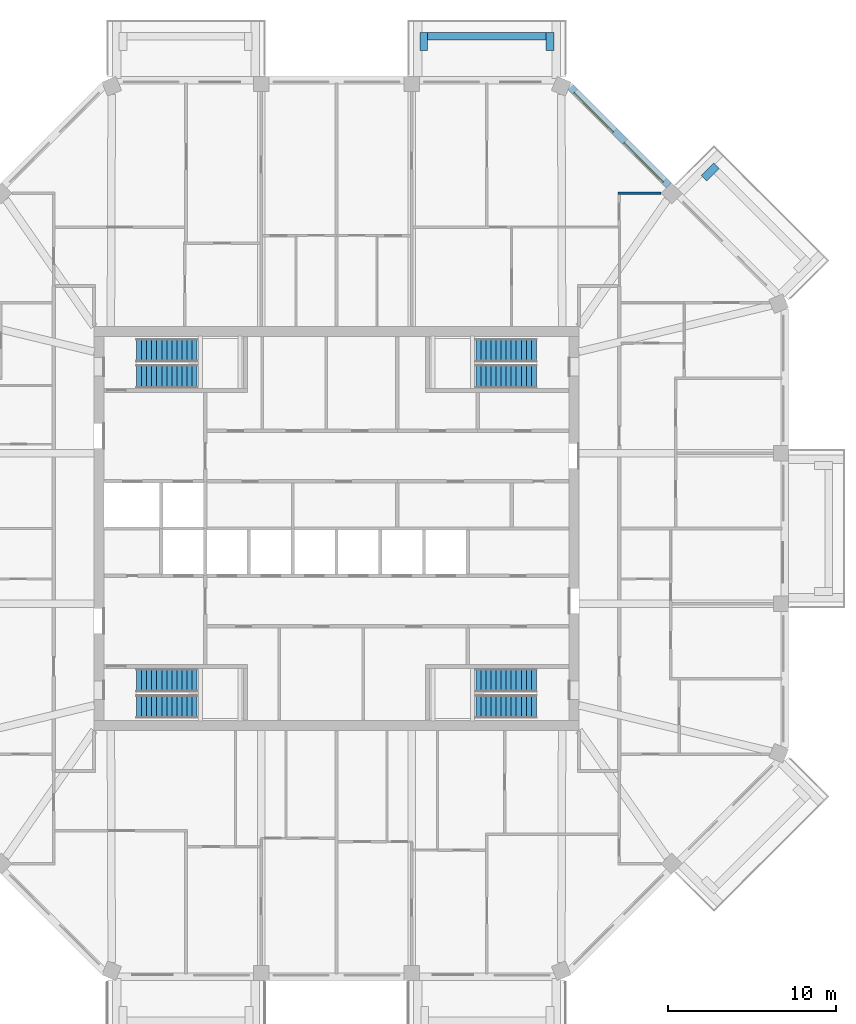
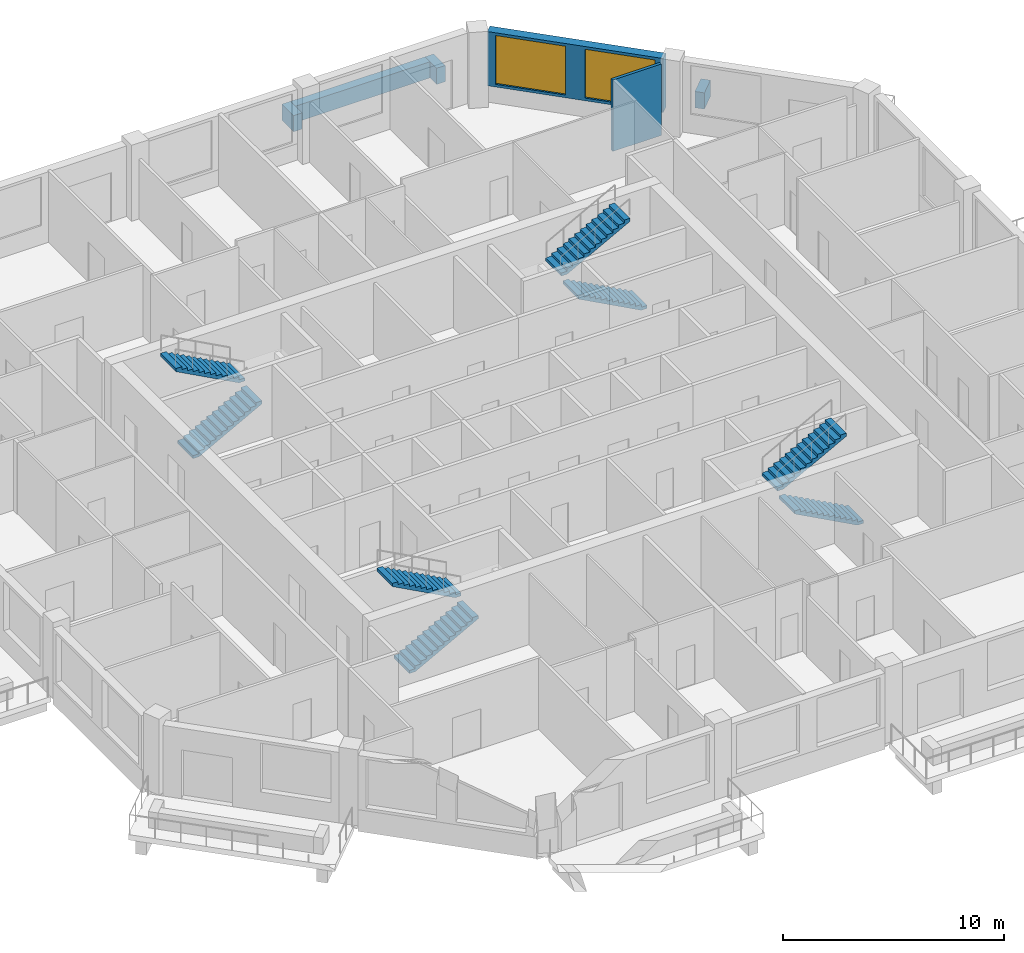
# One storey, part 10 of 12: 8 stair flights, 6 walls, 2 windows, 2 openings, 4 elements without a shape of their own.
"""IFC4 building model written with IfcOpenShell, lengths in metres."""

from ifc_helpers import new_model, si_unit, direction, frame, frame_2d, origin, place, context, subcontext, project, spatial, polyline, rectangle, outline, extrude, material, layer, layer_set, type_object, element, fill, aggregate, save


model = new_model("IFC4")

# Units and contexts
model_context = context("Model", 3, precision=1e-05, world=origin(), true_north=direction((0.0, 1.0)))
body_context = subcontext(model_context, "Body", "Model", "MODEL_VIEW")
ifc_project = project(units=[si_unit("LENGTHUNIT", "METRE"), si_unit("AREAUNIT", "SQUARE_METRE"), si_unit("VOLUMEUNIT", "CUBIC_METRE"), si_unit("PLANEANGLEUNIT", "RADIAN"), si_unit("MASSUNIT", "GRAM", prefix="KILO")], contexts=[model_context])

# Site, building, storey
site_placement = place(None, origin())
site = spatial("IfcSite", under=ifc_project, at=site_placement, CompositionType="ELEMENT")
building_placement = place(site_placement, origin())
building = spatial("IfcBuilding", under=site, at=building_placement, Name="Msitu Wima Residences", CompositionType="ELEMENT")
storey_placement = place(building_placement, frame((0.0, 0.0, 255.89990234375)))
storey = spatial("IfcBuildingStorey", under=building, at=storey_placement, Name="L59", CompositionType="ELEMENT", Elevation=255.89990234375)

# Walls
ifc_material_1 = material(Name="Facing brick")
ifc_layer_1 = layer(ifc_material_1, 0.06494140625, Name="Facing brick")
ifc_material_2 = material(Name="Concrete C40/50", Category="concrete")
ifc_layer_2 = layer(ifc_material_2, 0.156005859375, Name="Concrete C40/50")
ifc_material_3 = material(Name="Waterproofing membrane")
ifc_layer_3 = layer(ifc_material_3, 0.00390625, Name="Waterproofing membrane")
ifc_material_4 = material(Name="Planting soil and planting")
ifc_layer_4 = layer(ifc_material_4, 0.22509765625, Name="Planting soil and planting")
ifc_layer_set_1 = layer_set([ifc_layer_1, ifc_layer_2, ifc_layer_3, ifc_layer_4], Name="Concrete C40/50")
wall_type_1 = type_object("IfcWallType", Name="Balcony planter PLANTER PL450", PredefinedType="USERDEFINED", material=ifc_layer_set_1)
wall_1_placement = place(storey_placement, frame((21.829833984375, 20.804443359375, 0.0), z_axis=(0.0, 0.0, 1.0), x_axis=(0.707106781187, 0.707106781187, 0.0)))
element("IfcWall", 1, at=wall_1_placement, inside=storey, type_object=wall_type_1, Name="Balcony planter NE0 L59", ObjectType="PLANTER", PredefinedType="USERDEFINED", context=body_context, shape_type="SweptSolid", body=[
    extrude(rectangle(XDim=1.050048828125, YDim=0.449951171875, at=frame_2d((0.52490234375, 0.0))), origin(), (0.0, 0.0, 1.0), 0.900146484375),
])
wall_2_placement = place(storey_placement, frame((12.455810546875, 29.22509765625, 0.0), z_axis=(0.0, 0.0, 1.0), x_axis=(-1.0, 0.0, 0.0)))
element("IfcWall", 2, at=wall_2_placement, inside=storey, type_object=wall_type_1, Name="Balcony planter N0 L59", ObjectType="PLANTER", PredefinedType="USERDEFINED", context=body_context, shape_type="SweptSolid", body=[
    extrude(rectangle(XDim=7.037109375, YDim=0.449951171875, at=frame_2d((3.5185546875, 0.0))), origin(), (0.0, 0.0, 1.0), 0.900146484375),
])
for number, where, z_axis, x_axis, name in (
    (3, (12.680908203125, 28.39990234375, 0.0), (0.0, 0.0, 1.0), (0.0, 1.0, 0.0), "Balcony planter N0 L59"),
    (4, (5.193603515625, 28.39990234375, 0.0), (0.0, 0.0, 1.0), (0.0, 1.0, 0.0), "Balcony planter N0 L59"),
):
    element("IfcWall", number, at=place(storey_placement, frame(where, z_axis=z_axis, x_axis=x_axis)), inside=storey, type_object=wall_type_1, Name=name, ObjectType="PLANTER", PredefinedType="USERDEFINED", context=body_context, shape_type="SweptSolid", body=[
        extrude(rectangle(XDim=1.050048828125, YDim=0.449951171875, at=frame_2d((0.52490234375, 0.0))), origin(), (0.0, 0.0, 1.0), 0.900146484375),
    ])

# Wall, openings, windows
ifc_material_5 = material(Name="Brick (red buff mix)", Category="masonry")
ifc_layer_5 = layer(ifc_material_5, 0.449951171875)
ifc_layer_set_2 = layer_set([ifc_layer_5], Name="Brick (red buff mix)")
wall_type_2 = type_object("IfcWallType", Name="Brick infill wall BW450", PredefinedType="SOLIDWALL", material=ifc_layer_set_2)
wall_3_placement = place(storey_placement, frame((19.743896484375, 20.380126953125, 0.900146484375), z_axis=(0.0, 0.0, 1.0), x_axis=(-0.707106781187, 0.707106781187, 0.0)))
wall_3 = element("IfcWall", 5, at=wall_3_placement, inside=storey, type_object=wall_type_2, Name="Brick infill wall L59 NE1", PredefinedType="SOLIDWALL", context=body_context, shape_type="SweptSolid", body=[
    extrude(rectangle(XDim=8.251220703125, YDim=0.449951171875, at=frame_2d((4.12548828125, 0.0))), origin(), (0.0, 0.0, 1.0), 3.0),
])
opening_1_placement = place(wall_3_placement, frame((0.37548828125, 0.0, 0.14990234375)))
opening_1 = element("IfcOpeningElement", 6, at=opening_1_placement, cuts=wall_3, Name="Opening W57-59.011", PredefinedType="OPENING", context=body_context, shape_type="SweptSolid", body=[
    extrude(rectangle(XDim=3.300048828125, YDim=2.699951171875, at=frame_2d((1.64990234375, 1.35009765625))), frame((0.0, 0.23486328125, 0.0), z_axis=(0.0, -1.0, 0.0), x_axis=(1.0, 0.0, 0.0)), (0.0, 0.0, 1.0), 0.469970703125),
])
opening_2_placement = place(wall_3_placement, frame((4.57568359375, 0.0, 0.14990234375)))
opening_2 = element("IfcOpeningElement", 7, at=opening_2_placement, cuts=wall_3, Name="Opening W57-59.012", PredefinedType="OPENING", context=body_context, shape_type="SweptSolid", body=[
    extrude(rectangle(XDim=3.300048828125, YDim=2.699951171875, at=frame_2d((1.64990234375, 1.35009765625))), frame((0.0, 0.23486328125, 0.0), z_axis=(0.0, -1.0, 0.0), x_axis=(1.0, 0.0, 0.0)), (0.0, 0.0, 1.0), 0.469970703125),
])
ifc_material_6 = material(Name="Anodised aluminium, bronze finish, clear low-emissivity double glazing", Category="aluminium")
window_type = type_object("IfcWindowType", Name="Window W3300x2700", PartitioningType="DOUBLE_PANEL_VERTICAL", PredefinedType="WINDOW", material=ifc_material_6)
window_1_placement = place(opening_1_placement, origin())
window_1 = element("IfcWindow", 8, at=window_1_placement, inside=storey, type_object=window_type, Name="Window L59 NE1.1", OverallHeight=2.699951171875, OverallWidth=3.300048828125, PartitioningType="SINGLE_PANEL", PredefinedType="WINDOW", context=body_context, shape_type="SweptSolid", body=[
    extrude(rectangle(XDim=3.300048828125, YDim=2.699951171875, at=frame_2d((1.64990234375, 1.35009765625))), frame((0.0, 0.135009765625, 0.0), z_axis=(0.0, -1.0, 0.0), x_axis=(1.0, 0.0, 0.0)), (0.0, 0.0, 1.0), 0.06005859375),
])
fill(opening_1, window_1)
window_2_placement = place(opening_2_placement, origin())
window_2 = element("IfcWindow", 9, at=window_2_placement, inside=storey, type_object=window_type, Name="Window L59 NE1.2", OverallHeight=2.699951171875, OverallWidth=3.300048828125, PartitioningType="SINGLE_PANEL", PredefinedType="WINDOW", context=body_context, shape_type="SweptSolid", body=[
    extrude(rectangle(XDim=3.300048828125, YDim=2.699951171875, at=frame_2d((1.64990234375, 1.35009765625))), frame((0.0, 0.135009765625, 0.0), z_axis=(0.0, -1.0, 0.0), x_axis=(1.0, 0.0, 0.0)), (0.0, 0.0, 1.0), 0.06005859375),
])
fill(opening_2, window_2)

# Wall
ifc_material_7 = material(Name="Plaster")
ifc_layer_6 = layer(ifc_material_7, 0.011962890625, Name="Plaster")
ifc_material_8 = material(Name="Concrete blockwork", Category="masonry")
ifc_layer_7 = layer(ifc_material_8, 0.1259765625, Name="Concrete blockwork")
ifc_layer_8 = layer(ifc_material_7, 0.011962890625, Name="Plaster")
ifc_layer_set_3 = layer_set([ifc_layer_6, ifc_layer_7, ifc_layer_8], Name="Concrete blockwork")
wall_type_3 = type_object("IfcWallType", Name="Partition PW150", PredefinedType="PARTITIONING", material=ifc_layer_set_3)
wall_4_placement = place(storey_placement, frame((16.72509765625, 19.90283203125, 0.0), z_axis=(0.0, 0.0, 1.0), x_axis=(1.0, 0.0, 0.0)))
element("IfcWall", 10, at=wall_4_placement, inside=storey, type_object=wall_type_3, Name="Partition", PredefinedType="PARTITIONING", context=body_context, shape_type="SweptSolid", body=[
    extrude(rectangle(XDim=2.54150390625, YDim=0.14990234375, at=frame_2d((1.270751953125, 0.0))), origin(), (0.0, 0.0, 1.0), 3.9501953125),
])

# Stair, stair flights
stair_type = type_object("IfcStairType", Name="Exit stair ES1615-140", PredefinedType="HALF_TURN_STAIR", material=ifc_material_2)
stair_1_placement = place(storey_placement, origin())
stair_1 = element("IfcStair", 11, at=stair_1_placement, inside=storey, type_object=stair_type, Name="Exit stair 1", PredefinedType="HALF_TURN_STAIR")
stair_flight_type = type_object("IfcStairFlightType", Name="Exit stair flight ES1615-140", PredefinedType="STRAIGHT", material=ifc_material_2)
stair_flight_1_placement = place(storey_placement, frame((-11.875, 9.02490234375, 0.0), z_axis=(0.0, 0.0, 1.0), x_axis=(1.0, 0.0, 0.0)))
stair_flight_1 = element("IfcStairFlight", 12, at=stair_flight_1_placement, type_object=stair_flight_type, Name="S1 flight 1", NumberOfRisers=13, NumberOfTreads=12, PredefinedType="STRAIGHT", RiserHeight=0.161538462, TreadLength=0.3, context=body_context, shape_type="SweptSolid", body=[
    extrude(outline(polyline([(0.0, 0.0), (0.0, 0.16162109375), (0.300048828125, 0.16162109375), (0.300048828125, 0.322998046875), (0.60009765625, 0.322998046875), (0.60009765625, 0.484619140625), (0.89990234375, 0.484619140625), (0.89990234375, 0.646240234375), (1.199951171875, 0.646240234375), (1.199951171875, 0.8076171875), (1.5, 0.8076171875), (1.5, 0.96923828125), (1.800048828125, 0.96923828125), (1.800048828125, 1.130859375), (2.10009765625, 1.130859375), (2.10009765625, 1.292236328125), (2.39990234375, 1.292236328125), (2.39990234375, 1.453857421875), (2.699951171875, 1.453857421875), (2.699951171875, 1.615478515625), (3.0, 1.615478515625), (3.0, 1.77685546875), (3.300048828125, 1.77685546875), (3.300048828125, 1.9384765625), (3.60009765625, 1.9384765625), (3.60009765625, 2.10009765625), (3.60009765625, 1.768310546875), (0.316162109375, 0.0), (0.0, 0.0)])), frame((0.0, 0.699951171875, 0.0), z_axis=(0.0, -1.0, 0.0), x_axis=(1.0, 0.0, 0.0)), (0.0, 0.0, 1.0), 1.39990234375),
])
stair_flight_2_placement = place(storey_placement, frame((-8.27490234375, 10.574951171875, 2.10009765625), z_axis=(0.0, 0.0, 1.0), x_axis=(-1.0, 0.0, 0.0)))
stair_flight_2 = element("IfcStairFlight", 13, at=stair_flight_2_placement, type_object=stair_flight_type, Name="S1 flight 2", NumberOfRisers=13, NumberOfTreads=12, PredefinedType="STRAIGHT", RiserHeight=0.161538462, TreadLength=0.3, context=body_context, shape_type="SweptSolid", body=[
    extrude(outline(polyline([(0.0, 0.0), (0.0, 0.16162109375), (0.300048828125, 0.16162109375), (0.300048828125, 0.322998046875), (0.60009765625, 0.322998046875), (0.60009765625, 0.484619140625), (0.89990234375, 0.484619140625), (0.89990234375, 0.646240234375), (1.199951171875, 0.646240234375), (1.199951171875, 0.8076171875), (1.5, 0.8076171875), (1.5, 0.96923828125), (1.800048828125, 0.96923828125), (1.800048828125, 1.130859375), (2.10009765625, 1.130859375), (2.10009765625, 1.292236328125), (2.39990234375, 1.292236328125), (2.39990234375, 1.453857421875), (2.699951171875, 1.453857421875), (2.699951171875, 1.615478515625), (3.0, 1.615478515625), (3.0, 1.77685546875), (3.300048828125, 1.77685546875), (3.300048828125, 1.9384765625), (3.60009765625, 1.9384765625), (3.60009765625, 2.10009765625), (3.60009765625, 1.768310546875), (0.316162109375, 0.0), (0.0, 0.0)])), frame((0.0, 0.699951171875, 0.0), z_axis=(0.0, -1.0, 0.0), x_axis=(1.0, 0.0, 0.0)), (0.0, 0.0, 1.0), 1.39990234375),
])
aggregate(stair_1, [stair_flight_1, stair_flight_2])

stair_2_placement = place(storey_placement, origin())
stair_2 = element("IfcStair", 14, at=stair_2_placement, inside=storey, type_object=stair_type, Name="Exit stair 2", PredefinedType="HALF_TURN_STAIR")
stair_flight_3_placement = place(storey_placement, frame((-11.875, -10.574951171875, 0.0), z_axis=(0.0, 0.0, 1.0), x_axis=(1.0, 0.0, 0.0)))
stair_flight_3 = element("IfcStairFlight", 15, at=stair_flight_3_placement, type_object=stair_flight_type, Name="S2 flight 1", NumberOfRisers=13, NumberOfTreads=12, PredefinedType="STRAIGHT", RiserHeight=0.161538462, TreadLength=0.3, context=body_context, shape_type="SweptSolid", body=[
    extrude(outline(polyline([(0.0, 0.0), (0.0, 0.16162109375), (0.300048828125, 0.16162109375), (0.300048828125, 0.322998046875), (0.60009765625, 0.322998046875), (0.60009765625, 0.484619140625), (0.89990234375, 0.484619140625), (0.89990234375, 0.646240234375), (1.199951171875, 0.646240234375), (1.199951171875, 0.8076171875), (1.5, 0.8076171875), (1.5, 0.96923828125), (1.800048828125, 0.96923828125), (1.800048828125, 1.130859375), (2.10009765625, 1.130859375), (2.10009765625, 1.292236328125), (2.39990234375, 1.292236328125), (2.39990234375, 1.453857421875), (2.699951171875, 1.453857421875), (2.699951171875, 1.615478515625), (3.0, 1.615478515625), (3.0, 1.77685546875), (3.300048828125, 1.77685546875), (3.300048828125, 1.9384765625), (3.60009765625, 1.9384765625), (3.60009765625, 2.10009765625), (3.60009765625, 1.768310546875), (0.316162109375, 0.0), (0.0, 0.0)])), frame((0.0, 0.699951171875, 0.0), z_axis=(0.0, -1.0, 0.0), x_axis=(1.0, 0.0, 0.0)), (0.0, 0.0, 1.0), 1.39990234375),
])
stair_flight_4_placement = place(storey_placement, frame((-8.27490234375, -9.02490234375, 2.10009765625), z_axis=(0.0, 0.0, 1.0), x_axis=(-1.0, 0.0, 0.0)))
stair_flight_4 = element("IfcStairFlight", 16, at=stair_flight_4_placement, type_object=stair_flight_type, Name="S2 flight 2", NumberOfRisers=13, NumberOfTreads=12, PredefinedType="STRAIGHT", RiserHeight=0.161538462, TreadLength=0.3, context=body_context, shape_type="SweptSolid", body=[
    extrude(outline(polyline([(0.0, 0.0), (0.0, 0.16162109375), (0.300048828125, 0.16162109375), (0.300048828125, 0.322998046875), (0.60009765625, 0.322998046875), (0.60009765625, 0.484619140625), (0.89990234375, 0.484619140625), (0.89990234375, 0.646240234375), (1.199951171875, 0.646240234375), (1.199951171875, 0.8076171875), (1.5, 0.8076171875), (1.5, 0.96923828125), (1.800048828125, 0.96923828125), (1.800048828125, 1.130859375), (2.10009765625, 1.130859375), (2.10009765625, 1.292236328125), (2.39990234375, 1.292236328125), (2.39990234375, 1.453857421875), (2.699951171875, 1.453857421875), (2.699951171875, 1.615478515625), (3.0, 1.615478515625), (3.0, 1.77685546875), (3.300048828125, 1.77685546875), (3.300048828125, 1.9384765625), (3.60009765625, 1.9384765625), (3.60009765625, 2.10009765625), (3.60009765625, 1.768310546875), (0.316162109375, 0.0), (0.0, 0.0)])), frame((0.0, 0.699951171875, 0.0), z_axis=(0.0, -1.0, 0.0), x_axis=(1.0, 0.0, 0.0)), (0.0, 0.0, 1.0), 1.39990234375),
])
aggregate(stair_2, [stair_flight_3, stair_flight_4])

stair_3_placement = place(storey_placement, origin())
stair_3 = element("IfcStair", 17, at=stair_3_placement, inside=storey, type_object=stair_type, Name="Exit stair 3", PredefinedType="HALF_TURN_STAIR")
stair_flight_5_placement = place(storey_placement, frame((11.875, 9.02490234375, 0.0), z_axis=(0.0, 0.0, 1.0), x_axis=(-1.0, 0.0, 0.0)))
stair_flight_5 = element("IfcStairFlight", 18, at=stair_flight_5_placement, type_object=stair_flight_type, Name="S3 flight 1", NumberOfRisers=13, NumberOfTreads=12, PredefinedType="STRAIGHT", RiserHeight=0.161538462, TreadLength=0.3, context=body_context, shape_type="SweptSolid", body=[
    extrude(outline(polyline([(0.0, 0.0), (0.0, 0.16162109375), (0.300048828125, 0.16162109375), (0.300048828125, 0.322998046875), (0.60009765625, 0.322998046875), (0.60009765625, 0.484619140625), (0.89990234375, 0.484619140625), (0.89990234375, 0.646240234375), (1.199951171875, 0.646240234375), (1.199951171875, 0.8076171875), (1.5, 0.8076171875), (1.5, 0.96923828125), (1.800048828125, 0.96923828125), (1.800048828125, 1.130859375), (2.10009765625, 1.130859375), (2.10009765625, 1.292236328125), (2.39990234375, 1.292236328125), (2.39990234375, 1.453857421875), (2.699951171875, 1.453857421875), (2.699951171875, 1.615478515625), (3.0, 1.615478515625), (3.0, 1.77685546875), (3.300048828125, 1.77685546875), (3.300048828125, 1.9384765625), (3.60009765625, 1.9384765625), (3.60009765625, 2.10009765625), (3.60009765625, 1.768310546875), (0.316162109375, 0.0), (0.0, 0.0)])), frame((0.0, 0.699951171875, 0.0), z_axis=(0.0, -1.0, 0.0), x_axis=(1.0, 0.0, 0.0)), (0.0, 0.0, 1.0), 1.39990234375),
])
stair_flight_6_placement = place(storey_placement, frame((8.27490234375, 10.574951171875, 2.10009765625), z_axis=(0.0, 0.0, 1.0), x_axis=(1.0, 0.0, 0.0)))
stair_flight_6 = element("IfcStairFlight", 19, at=stair_flight_6_placement, type_object=stair_flight_type, Name="S3 flight 2", NumberOfRisers=13, NumberOfTreads=12, PredefinedType="STRAIGHT", RiserHeight=0.161538462, TreadLength=0.3, context=body_context, shape_type="SweptSolid", body=[
    extrude(outline(polyline([(0.0, 0.0), (0.0, 0.16162109375), (0.300048828125, 0.16162109375), (0.300048828125, 0.322998046875), (0.60009765625, 0.322998046875), (0.60009765625, 0.484619140625), (0.89990234375, 0.484619140625), (0.89990234375, 0.646240234375), (1.199951171875, 0.646240234375), (1.199951171875, 0.8076171875), (1.5, 0.8076171875), (1.5, 0.96923828125), (1.800048828125, 0.96923828125), (1.800048828125, 1.130859375), (2.10009765625, 1.130859375), (2.10009765625, 1.292236328125), (2.39990234375, 1.292236328125), (2.39990234375, 1.453857421875), (2.699951171875, 1.453857421875), (2.699951171875, 1.615478515625), (3.0, 1.615478515625), (3.0, 1.77685546875), (3.300048828125, 1.77685546875), (3.300048828125, 1.9384765625), (3.60009765625, 1.9384765625), (3.60009765625, 2.10009765625), (3.60009765625, 1.768310546875), (0.316162109375, 0.0), (0.0, 0.0)])), frame((0.0, 0.699951171875, 0.0), z_axis=(0.0, -1.0, 0.0), x_axis=(1.0, 0.0, 0.0)), (0.0, 0.0, 1.0), 1.39990234375),
])
aggregate(stair_3, [stair_flight_5, stair_flight_6])

stair_4_placement = place(storey_placement, origin())
stair_4 = element("IfcStair", 20, at=stair_4_placement, inside=storey, type_object=stair_type, Name="Exit stair 4", PredefinedType="HALF_TURN_STAIR")
stair_flight_7_placement = place(storey_placement, frame((11.875, -10.574951171875, 0.0), z_axis=(0.0, 0.0, 1.0), x_axis=(-1.0, 0.0, 0.0)))
stair_flight_7 = element("IfcStairFlight", 21, at=stair_flight_7_placement, type_object=stair_flight_type, Name="S4 flight 1", NumberOfRisers=13, NumberOfTreads=12, PredefinedType="STRAIGHT", RiserHeight=0.161538462, TreadLength=0.3, context=body_context, shape_type="SweptSolid", body=[
    extrude(outline(polyline([(0.0, 0.0), (0.0, 0.16162109375), (0.300048828125, 0.16162109375), (0.300048828125, 0.322998046875), (0.60009765625, 0.322998046875), (0.60009765625, 0.484619140625), (0.89990234375, 0.484619140625), (0.89990234375, 0.646240234375), (1.199951171875, 0.646240234375), (1.199951171875, 0.8076171875), (1.5, 0.8076171875), (1.5, 0.96923828125), (1.800048828125, 0.96923828125), (1.800048828125, 1.130859375), (2.10009765625, 1.130859375), (2.10009765625, 1.292236328125), (2.39990234375, 1.292236328125), (2.39990234375, 1.453857421875), (2.699951171875, 1.453857421875), (2.699951171875, 1.615478515625), (3.0, 1.615478515625), (3.0, 1.77685546875), (3.300048828125, 1.77685546875), (3.300048828125, 1.9384765625), (3.60009765625, 1.9384765625), (3.60009765625, 2.10009765625), (3.60009765625, 1.768310546875), (0.316162109375, 0.0), (0.0, 0.0)])), frame((0.0, 0.699951171875, 0.0), z_axis=(0.0, -1.0, 0.0), x_axis=(1.0, 0.0, 0.0)), (0.0, 0.0, 1.0), 1.39990234375),
])
stair_flight_8_placement = place(storey_placement, frame((8.27490234375, -9.02490234375, 2.10009765625), z_axis=(0.0, 0.0, 1.0), x_axis=(1.0, 0.0, 0.0)))
stair_flight_8 = element("IfcStairFlight", 22, at=stair_flight_8_placement, type_object=stair_flight_type, Name="S4 flight 2", NumberOfRisers=13, NumberOfTreads=12, PredefinedType="STRAIGHT", RiserHeight=0.161538462, TreadLength=0.3, context=body_context, shape_type="SweptSolid", body=[
    extrude(outline(polyline([(0.0, 0.0), (0.0, 0.16162109375), (0.300048828125, 0.16162109375), (0.300048828125, 0.322998046875), (0.60009765625, 0.322998046875), (0.60009765625, 0.484619140625), (0.89990234375, 0.484619140625), (0.89990234375, 0.646240234375), (1.199951171875, 0.646240234375), (1.199951171875, 0.8076171875), (1.5, 0.8076171875), (1.5, 0.96923828125), (1.800048828125, 0.96923828125), (1.800048828125, 1.130859375), (2.10009765625, 1.130859375), (2.10009765625, 1.292236328125), (2.39990234375, 1.292236328125), (2.39990234375, 1.453857421875), (2.699951171875, 1.453857421875), (2.699951171875, 1.615478515625), (3.0, 1.615478515625), (3.0, 1.77685546875), (3.300048828125, 1.77685546875), (3.300048828125, 1.9384765625), (3.60009765625, 1.9384765625), (3.60009765625, 2.10009765625), (3.60009765625, 1.768310546875), (0.316162109375, 0.0), (0.0, 0.0)])), frame((0.0, 0.699951171875, 0.0), z_axis=(0.0, -1.0, 0.0), x_axis=(1.0, 0.0, 0.0)), (0.0, 0.0, 1.0), 1.39990234375),
])
aggregate(stair_4, [stair_flight_7, stair_flight_8])

save(model, "model.ifc")
